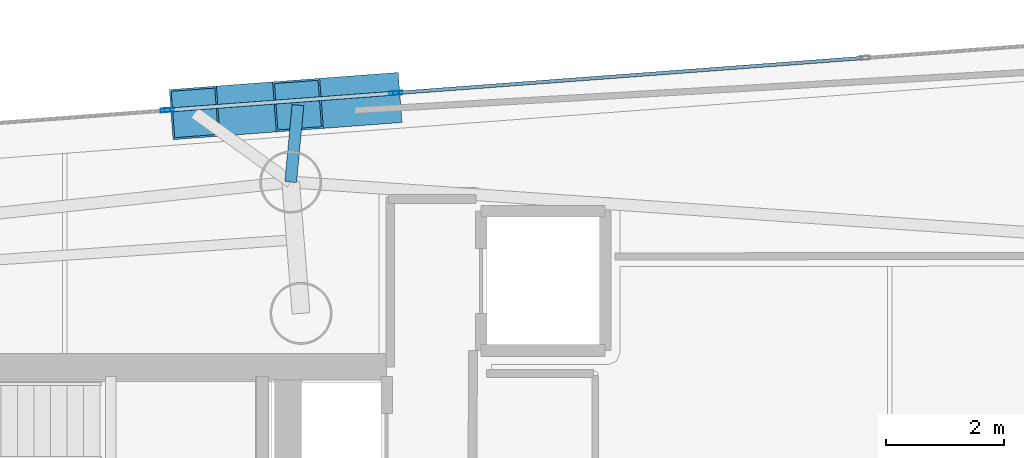
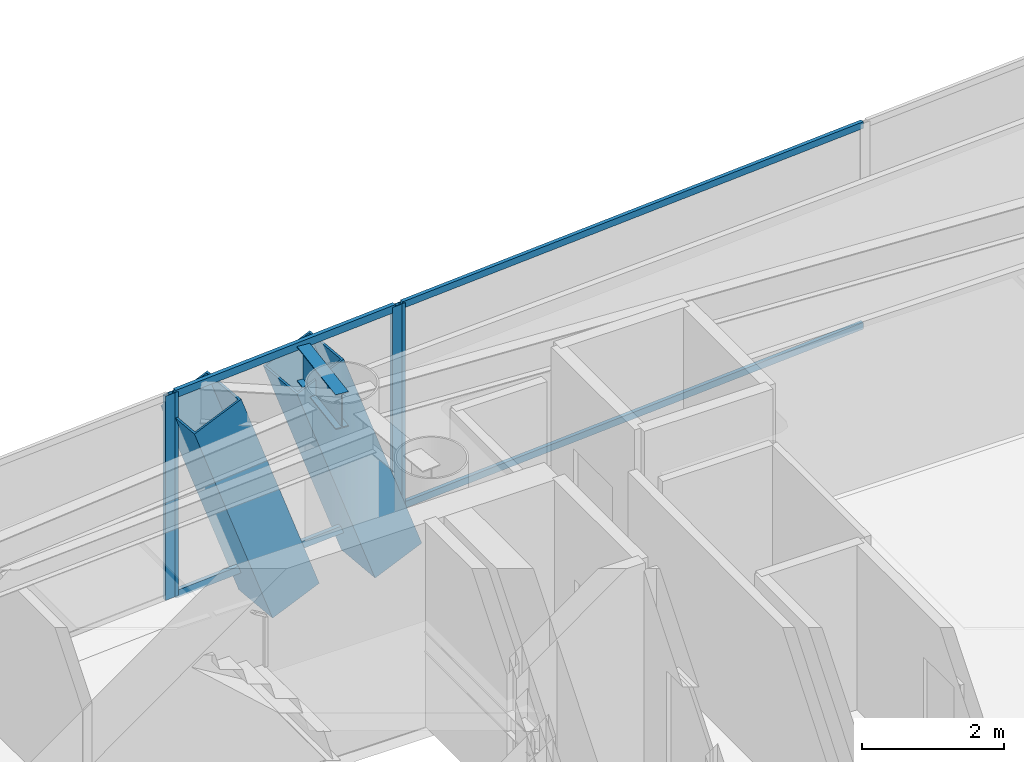
# One storey, part 10 of 19: 10 members, 1 beam, 3 elements without a shape of their own.
"""IFC4 building model written with IfcOpenShell, lengths in metres."""

from ifc_helpers import new_model, si_unit, direction, frame, origin, origin_2d, place, context, subcontext, project, spatial, hollow_rectangle, i_section, extrude, material, layer, layer_set, material_profile, profile_set, type_object, element, aggregate, save


model = new_model("IFC4")

# Units and contexts
model_context = context("Model", 3, precision=1e-05, world=origin(), true_north=direction((0.0, 1.0)))
body_context = subcontext(model_context, "Body", "Model", "MODEL_VIEW")
ifc_project = project(units=[si_unit("LENGTHUNIT", "METRE"), si_unit("AREAUNIT", "SQUARE_METRE"), si_unit("VOLUMEUNIT", "CUBIC_METRE"), si_unit("PLANEANGLEUNIT", "RADIAN"), si_unit("MASSUNIT", "GRAM", prefix="KILO")], contexts=[model_context])

# Site, building, storey
site_placement = place(None, origin())
site = spatial("IfcSite", under=ifc_project, at=site_placement, CompositionType="ELEMENT")
building_placement = place(site_placement, origin())
building = spatial("IfcBuilding", under=site, at=building_placement, Name="Qianvela Tower", CompositionType="ELEMENT")
storey_placement = place(building_placement, frame((0.0, 0.0, 268.60009765625)))
storey = spatial("IfcBuildingStorey", under=building, at=storey_placement, Name="L69", CompositionType="ELEMENT", Elevation=268.60009765625)

# Beam
ifc_material_1 = material(Name="Steel Q355B", Category="steel")
ifc_material_profile_1 = material_profile(ifc_material_1, i_section(OverallWidth=0.199951171875, OverallDepth=0.60009765625, WebThickness=0.010986328125, FlangeThickness=0.01708984375, at=origin_2d()), Name="HN600x200x11x17")
ifc_profile_set_1 = profile_set([ifc_material_profile_1], Name="Steel Q355B")
beam_type = type_object("IfcBeamType", Name="BM-HN600-GIRD", PredefinedType="BEAM", material=ifc_profile_set_1)
beam_placement = place(storey_placement, frame((38.22509765625, 35.77294921875, 3.218017578125), z_axis=(0.0938144657, 0.995589697629, 0.0), x_axis=(-0.995589697629, 0.0938144657, 0.0)))
element("IfcBeam", 1, at=beam_placement, inside=storey, type_object=beam_type, Name="L69 Mega-Brace Column Tie Bracket F1-1", PredefinedType="BEAM", context=body_context, shape_type="SweptSolid", body=[
    extrude(i_section(OverallWidth=0.199951171875, OverallDepth=0.60009765625, WebThickness=0.010986328125, FlangeThickness=0.01708984375, at=origin_2d()), origin(), (0.0, 0.0, 1.0), 1.30908203125),
])

# Curtain wall, members
ifc_material_2 = material(Name="Anodised Architectural Aluminium and Insulated Spandrel Panel", Category="aluminium")
ifc_layer_1 = layer(ifc_material_2, 0.179931640625)
ifc_layer_set_1 = layer_set([ifc_layer_1], Name="Anodised Architectural Aluminium and Insulated Spandrel Panel")
curtain_wall_type_1 = type_object("IfcCurtainWallType", Name="CW-BRACEBAY", PredefinedType="USERDEFINED", material=ifc_layer_set_1)
curtain_wall_1_placement = place(storey_placement, origin())
curtain_wall_1 = element("IfcCurtainWall", 2, at=curtain_wall_1_placement, inside=storey, type_object=curtain_wall_type_1, Name="L69 CW-BRACEBAY Curtain Wall 02B", ObjectType="CURTAIN_WALL_SYSTEM", PredefinedType="USERDEFINED")
ifc_material_3 = material(Name="Anodised Architectural Aluminium 6063-T6", Category="aluminium")
ifc_material_profile_2 = material_profile(ifc_material_3, hollow_rectangle(XDim=0.06494140625, YDim=0.159912109375, WallThickness=0.0048828125, at=origin_2d()), Name="ALU-MULL-65x160")
ifc_profile_set_2 = profile_set([ifc_material_profile_2], Name="Anodised Architectural Aluminium 6063-T6")
member_type_1 = type_object("IfcMemberType", Name="CW-BRACEBAY-MULL", PredefinedType="MULLION", material=ifc_profile_set_2)
member_1_placement = place(storey_placement, frame((39.972900390625, 37.278076171875, 0.0), z_axis=(0.0, 0.0, 1.0), x_axis=(0.074768804061, -0.997200895477, 0.0)))
member_1 = element("IfcMember", 3, at=member_1_placement, type_object=member_type_1, Name="CW-9 mullion 1", PredefinedType="MULLION", context=body_context, shape_type="SweptSolid", body=[
    extrude(hollow_rectangle(XDim=0.06494140625, YDim=0.159912109375, WallThickness=0.0048828125, at=origin_2d()), origin(), (0.0, 0.0, 1.0), 3.52001953125),
])
member_2_placement = place(storey_placement, frame((36.168701171875, 36.992919921875, 0.0), z_axis=(0.0, 0.0, 1.0), x_axis=(0.074768804061, -0.997200895477, 0.0)))
member_2 = element("IfcMember", 4, at=member_2_placement, type_object=member_type_1, Name="CW-9 mullion 2", PredefinedType="MULLION", context=body_context, shape_type="SweptSolid", body=[
    extrude(hollow_rectangle(XDim=0.06494140625, YDim=0.159912109375, WallThickness=0.0048828125, at=origin_2d()), origin(), (0.0, 0.0, 1.0), 3.52001953125),
])
ifc_material_4 = material(Name="Anodised Architectural Aluminium 6063-T6", Category="aluminium")
ifc_material_profile_3 = material_profile(ifc_material_4, hollow_rectangle(XDim=0.06494140625, YDim=0.1298828125, WallThickness=0.00439453125, at=origin_2d()), Name="ALU-TRAN-65x130")
ifc_profile_set_3 = profile_set([ifc_material_profile_3], Name="Anodised Architectural Aluminium 6063-T6")
member_type_2 = type_object("IfcMemberType", Name="CW-BRACEBAY-TRAN", PredefinedType="USERDEFINED", material=ifc_profile_set_3)
member_3_placement = place(storey_placement, frame((39.9404296875, 37.275634765625, 0.032470703125), z_axis=(-0.997203071649, -0.074739774515, 0.0), x_axis=(0.074739774515, -0.997203071649, 0.0)))
member_3 = element("IfcMember", 5, at=member_3_placement, type_object=member_type_2, Name="CW-9 transom 1.1", ObjectType="TRANSOM", PredefinedType="USERDEFINED", context=body_context, shape_type="SweptSolid", body=[
    extrude(hollow_rectangle(XDim=0.06494140625, YDim=0.1298828125, WallThickness=0.00439453125, at=origin_2d()), origin(), (0.0, 0.0, 1.0), 3.75),
])
member_4_placement = place(storey_placement, frame((39.9404296875, 37.275634765625, 3.4873046875), z_axis=(-0.997203071649, -0.074739774515, 0.0), x_axis=(0.074739774515, -0.997203071649, 0.0)))
member_4 = element("IfcMember", 6, at=member_4_placement, type_object=member_type_2, Name="CW-9 transom 1.2", ObjectType="TRANSOM", PredefinedType="USERDEFINED", context=body_context, shape_type="SweptSolid", body=[
    extrude(hollow_rectangle(XDim=0.06494140625, YDim=0.1298828125, WallThickness=0.00439453125, at=origin_2d()), origin(), (0.0, 0.0, 1.0), 3.75),
])
aggregate(curtain_wall_1, [member_1, member_2, member_3, member_4])

# Curtain wall, member
ifc_material_5 = material(Name="Anodised Architectural Aluminium and Low-E Glass", Category="aluminium")
ifc_layer_2 = layer(ifc_material_5, 0.159912109375)
ifc_layer_set_2 = layer_set([ifc_layer_2], Name="Anodised Architectural Aluminium and Low-E Glass")
curtain_wall_type_2 = type_object("IfcCurtainWallType", Name="CW-COLIV-Z56", PredefinedType="USERDEFINED", material=ifc_layer_set_2)
curtain_wall_2_placement = place(storey_placement, origin())
curtain_wall_2 = element("IfcCurtainWall", 7, at=curtain_wall_2_placement, inside=storey, type_object=curtain_wall_type_2, Name="L69 CW-COLIV-Z56 Curtain Wall 02A", ObjectType="CURTAIN_WALL_SYSTEM", PredefinedType="USERDEFINED")
ifc_material_6 = material(Name="Anodised Architectural Aluminium 6063-T6", Category="aluminium")
ifc_material_profile_4 = material_profile(ifc_material_6, hollow_rectangle(XDim=0.06494140625, YDim=0.159912109375, WallThickness=0.0048828125, at=origin_2d()), Name="ALU-MULL-65x160")
ifc_profile_set_4 = profile_set([ifc_material_profile_4], Name="Anodised Architectural Aluminium 6063-T6")
member_type_3 = type_object("IfcMemberType", Name="CW-COLIV-Z56-MULL", PredefinedType="MULLION", material=ifc_profile_set_4)
member_5_placement = place(storey_placement, frame((40.03759765625, 37.282958984375, 0.0), z_axis=(0.0, 0.0, 1.0), x_axis=(0.074755324891, -0.997201906035, 0.0)))
member_5 = element("IfcMember", 8, at=member_5_placement, type_object=member_type_3, Name="CW-5 mullion 3", PredefinedType="MULLION", context=body_context, shape_type="SweptSolid", body=[
    extrude(hollow_rectangle(XDim=0.06494140625, YDim=0.159912109375, WallThickness=0.0048828125, at=origin_2d()), origin(), (0.0, 0.0, 1.0), 3.52001953125),
])

curtain_wall_3_placement = place(storey_placement, origin())
curtain_wall_3 = element("IfcCurtainWall", 9, at=curtain_wall_3_placement, inside=storey, type_object=curtain_wall_type_2, Name="L69 CW-COLIV-Z56 Curtain Wall 02C", ObjectType="CURTAIN_WALL_SYSTEM", PredefinedType="USERDEFINED")
member_6_placement = place(storey_placement, frame((36.103759765625, 36.988037109375, 0.0), z_axis=(0.0, 0.0, 1.0), x_axis=(0.074753447507, -0.997202046772, 0.0)))
member_6 = element("IfcMember", 10, at=member_6_placement, type_object=member_type_3, Name="CW-5 mullion 1", PredefinedType="MULLION", context=body_context, shape_type="SweptSolid", body=[
    extrude(hollow_rectangle(XDim=0.06494140625, YDim=0.159912109375, WallThickness=0.0048828125, at=origin_2d()), origin(), (0.0, 0.0, 1.0), 3.52001953125),
])
aggregate(curtain_wall_3, [member_6])

# Member
ifc_material_7 = material(Name="Anodised Architectural Aluminium 6063-T6", Category="aluminium")
ifc_material_profile_5 = material_profile(ifc_material_7, hollow_rectangle(XDim=0.06005859375, YDim=0.114990234375, WallThickness=0.00390625, at=origin_2d()), Name="ALU-TRAN-60x115")
ifc_profile_set_5 = profile_set([ifc_material_profile_5], Name="Anodised Architectural Aluminium 6063-T6")
member_type_4 = type_object("IfcMemberType", Name="CW-COLIV-Z56-TRAN", PredefinedType="USERDEFINED", material=ifc_profile_set_5)
member_7_placement = place(storey_placement, frame((47.920654296875, 37.8740234375, 0.02978515625), z_axis=(-0.997200928644, -0.074768361704, 0.0), x_axis=(0.074768361704, -0.997200928644, 0.0)))
member_7 = element("IfcMember", 11, at=member_7_placement, type_object=member_type_4, Name="CW-5 transom 2.1", ObjectType="TRANSOM", PredefinedType="USERDEFINED", context=body_context, shape_type="SweptSolid", body=[
    extrude(hollow_rectangle(XDim=0.06005859375, YDim=0.114990234375, WallThickness=0.00390625, at=origin_2d()), origin(), (0.0, 0.0, 1.0), 7.87255859375),
])

member_8_placement = place(storey_placement, frame((47.920654296875, 37.8740234375, 3.489990234375), z_axis=(-0.997200928644, -0.074768361704, 0.0), x_axis=(0.074768361704, -0.997200928644, 0.0)))
member_8 = element("IfcMember", 12, at=member_8_placement, type_object=member_type_4, Name="CW-5 transom 2.2", ObjectType="TRANSOM", PredefinedType="USERDEFINED", context=body_context, shape_type="SweptSolid", body=[
    extrude(hollow_rectangle(XDim=0.06005859375, YDim=0.114990234375, WallThickness=0.00390625, at=origin_2d()), origin(), (0.0, 0.0, 1.0), 7.87255859375),
])

aggregate(curtain_wall_2, [member_5, member_7, member_8])

# Members
ifc_material_8 = material(Name="Steel Q420GJC", Category="steel")
ifc_material_profile_6 = material_profile(ifc_material_8, hollow_rectangle(XDim=0.85009765625, YDim=0.85009765625, WallThickness=0.031982421875, at=origin_2d()), Name="MBOX-850x850x32")
ifc_profile_set_6 = profile_set([ifc_material_profile_6], Name="Steel Q420GJC")
member_type_5 = type_object("IfcMemberType", Name="MBR-MBRACE-850", PredefinedType="BRACE", material=ifc_profile_set_6)
for number, where, z_axis, x_axis, name in (
    (13, (39.6787109375, 37.17578125, -0.482177734375), (-0.33832730844, -0.025323342844, 0.94068770624), (0.074639865407, -0.997210554744, 0.0), "L69 Tier 11 Exterior Mega-Brace F1A"),
    (14, (37.93115234375, 37.044921875, -0.482177734375), (-0.338381736723, -0.025384836816, 0.940666471345), (0.074808136419, -0.997197945608, 0.0), "L69 Tier 11 Exterior Mega-Brace F1B"),
):
    element("IfcMember", number, at=place(storey_placement, frame(where, z_axis=z_axis, x_axis=x_axis)), inside=storey, type_object=member_type_5, Name=name, PredefinedType="BRACE", context=body_context, shape_type="SweptSolid", body=[
        extrude(hollow_rectangle(XDim=0.85009765625, YDim=0.85009765625, WallThickness=0.031982421875, at=origin_2d()), origin(), (0.0, 0.0, 1.0), 3.93359375),
    ])

save(model, "model.ifc")
